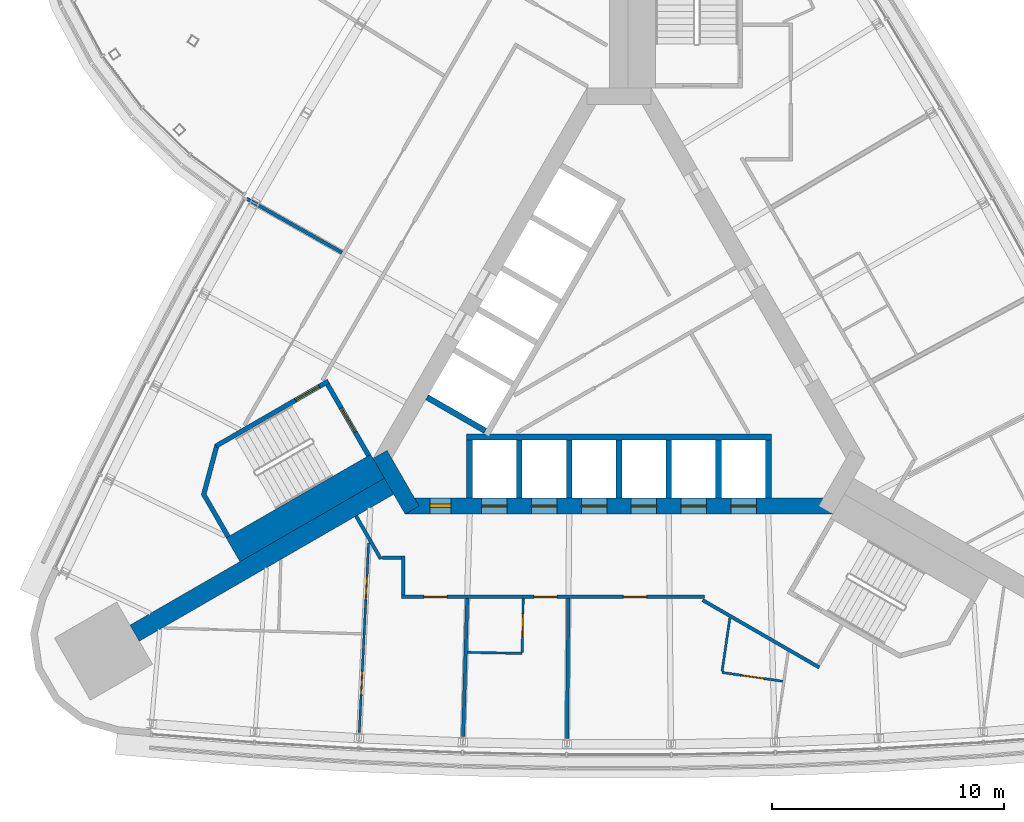
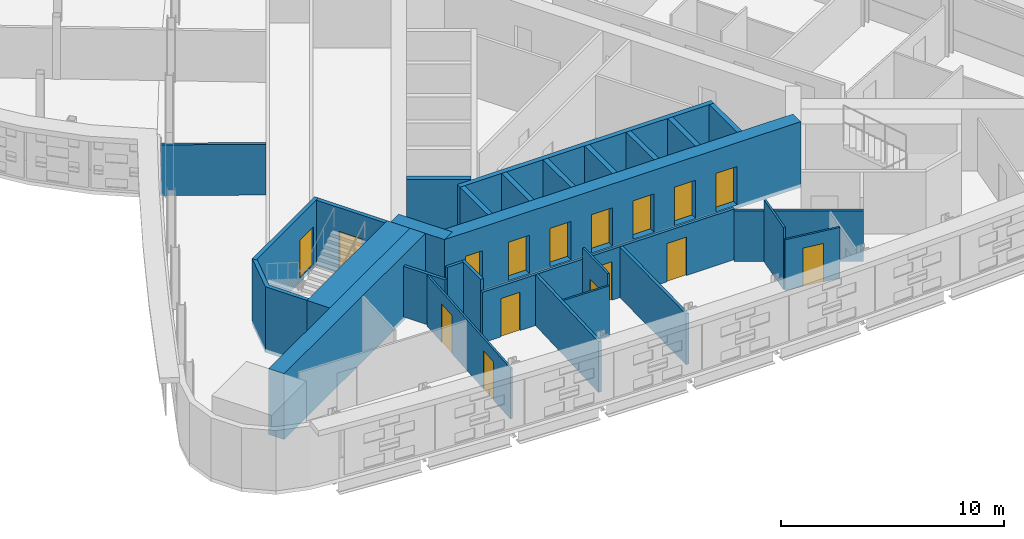
# One storey, part 10 of 16: 29 walls, 16 doors, 16 openings.
"""IFC4 building model written with IfcOpenShell, lengths in metres."""

import ifcopenshell
import ifcopenshell.guid

model = None  # the IFC model being written
_history = None  # IfcOwnerHistory: only IFC2X3 demands one
_inside = {}  # id of a spatial element -> (the spatial element, [elements in it])
_under = {}  # id of a project, library or spatial element -> (it, [spatial elements below it])
_declared = {}  # id of a project -> (the project, [libraries it declares])
_typed = {}  # id of a type object -> (the type object, [elements of that type])
_made_of = {}  # id of a material, layer set ... -> (it, [elements and type objects made of it])


def new_model(schema):
    """Start an empty IFC model of exactly this schema.

    Asked for "IFC4X3", IfcOpenShell would pick the latest addendum, in which some entities
    have other attributes; the version numbers below select the first issue.
    IFC2X3 requires an IfcOwnerHistory on every rooted entity: one is made here for all.
    """
    global model, _history
    if schema == "IFC4X3":
        model = ifcopenshell.file(schema_version=(4, 3, 0, 0))
    else:
        model = ifcopenshell.file(schema=schema)
    _inside.clear()
    _under.clear()
    _declared.clear()
    _typed.clear()
    _made_of.clear()
    _history = None
    if model.schema == "IFC2X3":
        org = make("IfcOrganization", Name="unknown")
        user = make(
            "IfcPersonAndOrganization",
            ThePerson=make("IfcPerson", FamilyName="unknown"),
            TheOrganization=org,
        )
        app = make(
            "IfcApplication",
            ApplicationDeveloper=org,
            Version="unknown",
            ApplicationFullName="unknown",
            ApplicationIdentifier="unknown",
        )
        _history = make(
            "IfcOwnerHistory",
            OwningUser=user,
            OwningApplication=app,
            ChangeAction="ADDED",
            CreationDate=0,
        )
    return model


def make(cls, **values):
    """One entity of the class cls with the attributes given. An attribute that is None is left unset."""
    return model.create_entity(
        cls, **{name: value for name, value in values.items() if value is not None}
    )


def rooted(cls, **values):
    """An entity with a GlobalId (a new one), such as an element, a storey or a relation."""
    return make(cls, GlobalId=ifcopenshell.guid.new(), OwnerHistory=_history, **values)


def si_unit(unit_type, name, prefix=None):
    """IfcSIUnit, for example si_unit("LENGTHUNIT", "METRE", prefix="MILLI")."""
    return make("IfcSIUnit", UnitType=unit_type, Prefix=prefix, Name=name)


def assignment(units):
    """IfcUnitAssignment: the units of a project."""
    return None if units is None else make("IfcUnitAssignment", Units=units)


def point(xyz):
    """IfcCartesianPoint."""
    return None if xyz is None else make("IfcCartesianPoint", Coordinates=xyz)


def direction(xyz):
    """IfcDirection."""
    return None if xyz is None else make("IfcDirection", DirectionRatios=xyz)


def frame(location, z_axis=None, x_axis=None):
    """IfcAxis2Placement3D, a coordinate frame: its origin and axes. An axis left out is left unset."""
    return make(
        "IfcAxis2Placement3D",
        Location=point(location),
        Axis=direction(z_axis),
        RefDirection=direction(x_axis),
    )


def frame_2d(location, x_axis=None):
    """IfcAxis2Placement2D, a coordinate frame in the plane: its origin and x axis."""
    return make(
        "IfcAxis2Placement2D", Location=point(location), RefDirection=direction(x_axis)
    )


def origin():
    """The frame at (0, 0, 0) with its axes left unset."""
    return frame((0.0, 0.0, 0.0))


def place(relative_to, where):
    """IfcLocalPlacement: puts the frame where relative to a parent placement (None: the world)."""
    return make(
        "IfcLocalPlacement", PlacementRelTo=relative_to, RelativePlacement=where
    )


def context(
    kind, dimensions, precision=None, world=None, true_north=None, identifier=None
):
    """IfcGeometricRepresentationContext, for example the 3D "Model" context."""
    return make(
        "IfcGeometricRepresentationContext",
        ContextIdentifier=identifier,
        ContextType=kind,
        CoordinateSpaceDimension=dimensions,
        Precision=precision,
        WorldCoordinateSystem=world,
        TrueNorth=true_north,
    )


def subcontext(parent, identifier, kind, view, scale=None):
    """IfcGeometricRepresentationSubContext, for example "Body" below "Model"."""
    return make(
        "IfcGeometricRepresentationSubContext",
        ContextIdentifier=identifier,
        ContextType=kind,
        ParentContext=parent,
        TargetScale=scale,
        TargetView=view,
    )


def project(units=None, contexts=None):
    """IfcProject with its units and contexts."""
    return rooted(
        "IfcProject",
        Name="project",
        RepresentationContexts=contexts,
        UnitsInContext=assignment(units),
    )


def spatial(cls, under=None, at=None, **own):
    """A site, building, storey or space (cls), placed at a placement, below another one or the project."""
    s = rooted(cls, ObjectPlacement=at, **own)
    if under is not None:
        _under.setdefault(under.id(), (under, []))[1].append(s)
    return s


def polyline(points):
    """IfcPolyline through the points."""
    return make("IfcPolyline", Points=[point(p) for p in points])


def profile(cls, at=None, kind="AREA", **sizes):
    """A parametric profile (cls). Its sizes go by their IFC names, for example OverallWidth=200.0."""
    return make(cls, ProfileType=kind, Position=at, **sizes)


def rectangle(**sizes):
    """IfcRectangleProfileDef."""
    return profile("IfcRectangleProfileDef", **sizes)


def outline(outer, holes=None, kind="AREA"):
    """IfcArbitraryClosedProfileDef: a profile drawn as a closed curve; with holes, ...WithVoids."""
    if holes is None:
        return make("IfcArbitraryClosedProfileDef", ProfileType=kind, OuterCurve=outer)
    return make(
        "IfcArbitraryProfileDefWithVoids",
        ProfileType=kind,
        OuterCurve=outer,
        InnerCurves=holes,
    )


def extrude(swept, where, along, depth):
    """IfcExtrudedAreaSolid: the profile swept, set in the frame where, extruded along a direction by depth."""
    return make(
        "IfcExtrudedAreaSolid",
        SweptArea=swept,
        Position=where,
        ExtrudedDirection=direction(along),
        Depth=depth,
    )


def shape(context_of_items, identifier, shape_type, items):
    """IfcShapeRepresentation: the items that make up one representation, for example the "Body"."""
    return make(
        "IfcShapeRepresentation",
        ContextOfItems=context_of_items,
        RepresentationIdentifier=identifier,
        RepresentationType=shape_type,
        Items=items,
    )


def material(Name=None, Category=None):
    """IfcMaterial."""
    return make("IfcMaterial", Name=Name, Category=Category)


def layer(
    of_material, thickness, ventilated=None, Name=None, Category=None, Priority=None
):
    """IfcMaterialLayer: one layer of a wall or slab, of a material (None: an air gap)."""
    return make(
        "IfcMaterialLayer",
        Material=of_material,
        LayerThickness=thickness,
        IsVentilated=ventilated,
        Name=Name,
        Category=Category,
        Priority=Priority,
    )


def layer_set(layers, Name=None):
    """IfcMaterialLayerSet."""
    return make("IfcMaterialLayerSet", MaterialLayers=layers, LayerSetName=Name)


def made_of(thing, what):
    """Note that an element or type object is made of a material, layer set ...; save() writes the relation."""
    if what is not None:
        _made_of.setdefault(what.id(), (what, []))[1].append(thing)
    return thing


def type_object(cls, material=None, **own):
    """A type object (cls), such as IfcWallType, which elements share."""
    return made_of(rooted(cls, **own), material)


def element(
    cls,
    number,
    at=None,
    inside=None,
    cuts=None,
    type_object=None,
    material=None,
    context=None,
    identifier="Body",
    shape_type=None,
    held_by="IfcProductDefinitionShape",
    body=None,
    shapes=None,
    **own,
):
    """One element of the class cls, such as IfcWall. Its Tag is "e" and its number.

    at: its placement. inside: the storey or other place that contains it. cuts: it is an
    opening in that element (IfcRelVoidsElement). A single representation is given by context,
    identifier, shape_type and body (its items); several are given by shapes. held_by: the class
    of the entity that holds the representations. save() writes the other relations.
    """
    e = rooted(cls, Tag="e%d" % number, ObjectPlacement=at, **own)
    if body is not None:
        shapes = [shape(context, identifier, shape_type, body)]
    if shapes is not None:
        e.Representation = make(held_by, Representations=shapes)
    if inside is not None:
        _inside.setdefault(inside.id(), (inside, []))[1].append(e)
    if cuts is not None:
        rooted(
            "IfcRelVoidsElement", RelatingBuildingElement=cuts, RelatedOpeningElement=e
        )
    if type_object is not None:
        _typed.setdefault(type_object.id(), (type_object, []))[1].append(e)
    return made_of(e, material)


def fill(opening, filler):
    """IfcRelFillsElement: the door or window that sits in an opening."""
    return rooted(
        "IfcRelFillsElement",
        RelatingOpeningElement=opening,
        RelatedBuildingElement=filler,
    )


def aggregate(whole, parts):
    """IfcRelAggregates: a whole, such as a stair, and the parts it consists of."""
    return rooted("IfcRelAggregates", RelatingObject=whole, RelatedObjects=parts)


def save(model, path):
    """Write the relations noted so far, then the file.

    IfcRelAggregates (storeys below a building ...), IfcRelContainedInSpatialStructure (elements
    in a storey), IfcRelDefinesByType, IfcRelAssociatesMaterial and IfcRelDeclares: one each for
    every whole, place, type object, material and project.
    """
    for whole, parts in _under.values():
        aggregate(whole, parts)
    for where, things in _inside.values():
        rooted(
            "IfcRelContainedInSpatialStructure",
            RelatedElements=things,
            RelatingStructure=where,
        )
    for kind, things in _typed.values():
        rooted("IfcRelDefinesByType", RelatedObjects=things, RelatingType=kind)
    for what, things in _made_of.values():
        rooted("IfcRelAssociatesMaterial", RelatedObjects=things, RelatingMaterial=what)
    for by, libraries in _declared.values():
        rooted("IfcRelDeclares", RelatingContext=by, RelatedDefinitions=libraries)
    model.write(path)


model = new_model("IFC4")

# Units and contexts
model_context = context("Model", 3, precision=1e-05, world=origin(), true_north=direction((0.0, 1.0)))
body_context = subcontext(model_context, "Body", "Model", "MODEL_VIEW")
ifc_project = project(units=[si_unit("LENGTHUNIT", "METRE"), si_unit("AREAUNIT", "SQUARE_METRE"), si_unit("VOLUMEUNIT", "CUBIC_METRE"), si_unit("PLANEANGLEUNIT", "RADIAN"), si_unit("MASSUNIT", "GRAM", prefix="KILO")], contexts=[model_context])

# Site, building, storey
site_placement = place(None, origin())
site = spatial("IfcSite", under=ifc_project, at=site_placement, CompositionType="ELEMENT")
building_placement = place(site_placement, origin())
building = spatial("IfcBuilding", under=site, at=building_placement, Name="Noor Cloister Tower", CompositionType="ELEMENT")
storey_placement = place(building_placement, frame((0.0, 0.0, 91.5)))
storey = spatial("IfcBuildingStorey", under=building, at=storey_placement, Name="L23", CompositionType="ELEMENT", Elevation=91.5)

# Wall
ifc_material_1 = material(Name="Concrete C80/95", Category="concrete")
ifc_layer_1 = layer(ifc_material_1, 0.800048828125)
ifc_layer_set_1 = layer_set([ifc_layer_1], Name="Buttress wall 800 C80/95")
wall_type_1 = type_object("IfcWallType", Name="Buttress wall 800 C80/95", PredefinedType="SHEAR", material=ifc_layer_set_1)
wall_1_placement = place(storey_placement, frame((-9.921630859375, -5.728271484375, -0.199951171875), z_axis=(0.0, 0.0, 1.0), x_axis=(-0.866029086277, -0.499993621681, 0.0)))
element("IfcWall", 1, at=wall_1_placement, inside=storey, type_object=wall_type_1, Name="Buttress wall SW L23", PredefinedType="SHEAR", context=body_context, shape_type="SweptSolid", body=[
    extrude(rectangle(XDim=12.677490234375, YDim=0.800048828125, at=frame_2d((6.3388671875, 0.0))), origin(), (0.0, 0.0, 1.0), 3.599853515625),
])

# Wall, openings, doors
ifc_material_2 = material(Name="Concrete C80/95", Category="concrete")
ifc_layer_2 = layer(ifc_material_2, 0.699951171875)
ifc_layer_set_2 = layer_set([ifc_layer_2], Name="Core wall 700 C80/95")
wall_type_2 = type_object("IfcWallType", Name="Core wall 700 C80/95", PredefinedType="SHEAR", material=ifc_layer_set_2)
wall_2_placement = place(storey_placement, frame((-9.228759765625, -6.578125, -0.199951171875), z_axis=(0.0, 0.0, 1.0), x_axis=(1.0, 0.0, 0.0)))
wall_2 = element("IfcWall", 2, at=wall_2_placement, inside=storey, type_object=wall_type_2, Name="Core wall L23 1", PredefinedType="SHEAR", context=body_context, shape_type="SweptSolid", body=[
    extrude(rectangle(XDim=18.45751953125, YDim=0.699951171875, at=frame_2d((9.228759765625, 0.0))), origin(), (0.0, 0.0, 1.0), 3.599853515625),
])
opening_1_placement = place(wall_2_placement, frame((3.3037109375, 0.0, 0.199951171875)))
opening_1 = element("IfcOpeningElement", 3, at=opening_1_placement, cuts=wall_2, Name="Opening L23-LR1", PredefinedType="OPENING", context=body_context, shape_type="SweptSolid", body=[
    extrude(rectangle(XDim=1.10009765625, YDim=2.10009765625, at=frame_2d((0.550048828125, 1.050048828125))), frame((0.0, 0.35986328125, 0.0), z_axis=(0.0, -1.0, 0.0), x_axis=(1.0, 0.0, 0.0)), (0.0, 0.0, 1.0), 0.719970703125),
])
opening_2_placement = place(wall_2_placement, frame((5.45361328125, 0.0, 0.199951171875)))
opening_2 = element("IfcOpeningElement", 4, at=opening_2_placement, cuts=wall_2, Name="Opening L23-LR2", PredefinedType="OPENING", context=body_context, shape_type="SweptSolid", body=[
    extrude(rectangle(XDim=1.10009765625, YDim=2.10009765625, at=frame_2d((0.550048828125, 1.050048828125))), frame((0.0, 0.35986328125, 0.0), z_axis=(0.0, -1.0, 0.0), x_axis=(1.0, 0.0, 0.0)), (0.0, 0.0, 1.0), 0.719970703125),
])
opening_3_placement = place(wall_2_placement, frame((7.603759765625, 0.0, 0.199951171875)))
opening_3 = element("IfcOpeningElement", 5, at=opening_3_placement, cuts=wall_2, Name="Opening L23-LR3", PredefinedType="OPENING", context=body_context, shape_type="SweptSolid", body=[
    extrude(rectangle(XDim=1.10009765625, YDim=2.10009765625, at=frame_2d((0.550048828125, 1.050048828125))), frame((0.0, 0.35986328125, 0.0), z_axis=(0.0, -1.0, 0.0), x_axis=(1.0, 0.0, 0.0)), (0.0, 0.0, 1.0), 0.719970703125),
])
opening_4_placement = place(wall_2_placement, frame((9.753662109375, 0.0, 0.199951171875)))
opening_4 = element("IfcOpeningElement", 6, at=opening_4_placement, cuts=wall_2, Name="Opening L23-LR4", PredefinedType="OPENING", context=body_context, shape_type="SweptSolid", body=[
    extrude(rectangle(XDim=1.10009765625, YDim=2.10009765625, at=frame_2d((0.550048828125, 1.050048828125))), frame((0.0, 0.35986328125, 0.0), z_axis=(0.0, -1.0, 0.0), x_axis=(1.0, 0.0, 0.0)), (0.0, 0.0, 1.0), 0.719970703125),
])
opening_5_placement = place(wall_2_placement, frame((11.90380859375, 0.0, 0.199951171875)))
opening_5 = element("IfcOpeningElement", 7, at=opening_5_placement, cuts=wall_2, Name="Opening L23-LR5", PredefinedType="OPENING", context=body_context, shape_type="SweptSolid", body=[
    extrude(rectangle(XDim=1.10009765625, YDim=2.10009765625, at=frame_2d((0.550048828125, 1.050048828125))), frame((0.0, 0.35986328125, 0.0), z_axis=(0.0, -1.0, 0.0), x_axis=(1.0, 0.0, 0.0)), (0.0, 0.0, 1.0), 0.719970703125),
])
opening_6_placement = place(wall_2_placement, frame((14.0537109375, 0.0, 0.199951171875)))
opening_6 = element("IfcOpeningElement", 8, at=opening_6_placement, cuts=wall_2, Name="Opening L23-LR6", PredefinedType="OPENING", context=body_context, shape_type="SweptSolid", body=[
    extrude(rectangle(XDim=1.10009765625, YDim=2.10009765625, at=frame_2d((0.550048828125, 1.050048828125))), frame((0.0, 0.35986328125, 0.0), z_axis=(0.0, -1.0, 0.0), x_axis=(1.0, 0.0, 0.0)), (0.0, 0.0, 1.0), 0.719970703125),
])
opening_7_placement = place(wall_2_placement, frame((1.078857421875, 0.0, 0.199951171875)))
opening_7 = element("IfcOpeningElement", 9, at=opening_7_placement, cuts=wall_2, Name="Opening L23-905", PredefinedType="OPENING", context=body_context, shape_type="SweptSolid", body=[
    extrude(rectangle(XDim=0.89990234375, YDim=2.10009765625, at=frame_2d((0.449951171875, 1.050048828125))), frame((0.0, 0.35986328125, 0.0), z_axis=(0.0, -1.0, 0.0), x_axis=(1.0, 0.0, 0.0)), (0.0, 0.0, 1.0), 0.719970703125),
])
ifc_material_3 = material(Name="Steel", Category="steel")
door_type_1 = type_object("IfcDoorType", Name="Core door 900 x 2100 FD120", OperationType="SINGLE_SWING_LEFT", PredefinedType="DOOR", material=ifc_material_3)
door_1_placement = place(opening_7_placement, origin())
door_1 = element("IfcDoor", 10, at=door_1_placement, inside=storey, type_object=door_type_1, Name="Core door 5 L23", OperationType="SINGLE_SWING_LEFT", OverallHeight=2.10009765625, OverallWidth=0.89990234375, PredefinedType="DOOR", context=body_context, shape_type="SweptSolid", body=[
    extrude(rectangle(XDim=0.89990234375, YDim=2.10009765625, at=frame_2d((0.449951171875, 1.050048828125))), frame((0.0, 0.074951171875, 0.0), z_axis=(0.0, -1.0, 0.0), x_axis=(1.0, 0.0, 0.0)), (0.0, 0.0, 1.0), 0.14990234375),
])
fill(opening_7, door_1)
ifc_material_4 = material(Name="Stainless steel", Category="steel")
door_type_2 = type_object("IfcDoorType", Name="Lift landing door 1100 x 2100", OperationType="DOUBLE_DOOR_SLIDING", PredefinedType="DOOR", material=ifc_material_4)
door_2_placement = place(opening_1_placement, origin())
door_2 = element("IfcDoor", 11, at=door_2_placement, inside=storey, type_object=door_type_2, Name="Landing door LR1 L23", OperationType="DOUBLE_DOOR_SLIDING", OverallHeight=2.10009765625, OverallWidth=1.10009765625, PredefinedType="DOOR", context=body_context, shape_type="SweptSolid", body=[
    extrude(rectangle(XDim=1.10009765625, YDim=2.10009765625, at=frame_2d((0.550048828125, 1.050048828125))), frame((0.0, 0.02490234375, 0.0), z_axis=(0.0, -1.0, 0.0), x_axis=(1.0, 0.0, 0.0)), (0.0, 0.0, 1.0), 0.050048828125),
])
fill(opening_1, door_2)
door_3_placement = place(opening_2_placement, origin())
door_3 = element("IfcDoor", 12, at=door_3_placement, inside=storey, type_object=door_type_2, Name="Landing door LR2 L23", OperationType="DOUBLE_DOOR_SLIDING", OverallHeight=2.10009765625, OverallWidth=1.10009765625, PredefinedType="DOOR", context=body_context, shape_type="SweptSolid", body=[
    extrude(rectangle(XDim=1.10009765625, YDim=2.10009765625, at=frame_2d((0.550048828125, 1.050048828125))), frame((0.0, 0.02490234375, 0.0), z_axis=(0.0, -1.0, 0.0), x_axis=(1.0, 0.0, 0.0)), (0.0, 0.0, 1.0), 0.050048828125),
])
fill(opening_2, door_3)
door_4_placement = place(opening_3_placement, origin())
door_4 = element("IfcDoor", 13, at=door_4_placement, inside=storey, type_object=door_type_2, Name="Landing door LR3 L23", OperationType="DOUBLE_DOOR_SLIDING", OverallHeight=2.10009765625, OverallWidth=1.10009765625, PredefinedType="DOOR", context=body_context, shape_type="SweptSolid", body=[
    extrude(rectangle(XDim=1.10009765625, YDim=2.10009765625, at=frame_2d((0.550048828125, 1.050048828125))), frame((0.0, 0.02490234375, 0.0), z_axis=(0.0, -1.0, 0.0), x_axis=(1.0, 0.0, 0.0)), (0.0, 0.0, 1.0), 0.050048828125),
])
fill(opening_3, door_4)
door_5_placement = place(opening_4_placement, origin())
door_5 = element("IfcDoor", 14, at=door_5_placement, inside=storey, type_object=door_type_2, Name="Landing door LR4 L23", OperationType="DOUBLE_DOOR_SLIDING", OverallHeight=2.10009765625, OverallWidth=1.10009765625, PredefinedType="DOOR", context=body_context, shape_type="SweptSolid", body=[
    extrude(rectangle(XDim=1.10009765625, YDim=2.10009765625, at=frame_2d((0.550048828125, 1.050048828125))), frame((0.0, 0.02490234375, 0.0), z_axis=(0.0, -1.0, 0.0), x_axis=(1.0, 0.0, 0.0)), (0.0, 0.0, 1.0), 0.050048828125),
])
fill(opening_4, door_5)
door_6_placement = place(opening_5_placement, origin())
door_6 = element("IfcDoor", 15, at=door_6_placement, inside=storey, type_object=door_type_2, Name="Landing door LR5 L23", OperationType="DOUBLE_DOOR_SLIDING", OverallHeight=2.10009765625, OverallWidth=1.10009765625, PredefinedType="DOOR", context=body_context, shape_type="SweptSolid", body=[
    extrude(rectangle(XDim=1.10009765625, YDim=2.10009765625, at=frame_2d((0.550048828125, 1.050048828125))), frame((0.0, 0.02490234375, 0.0), z_axis=(0.0, -1.0, 0.0), x_axis=(1.0, 0.0, 0.0)), (0.0, 0.0, 1.0), 0.050048828125),
])
fill(opening_5, door_6)
door_7_placement = place(opening_6_placement, origin())
door_7 = element("IfcDoor", 16, at=door_7_placement, inside=storey, type_object=door_type_2, Name="Landing door LR6 L23", OperationType="DOUBLE_DOOR_SLIDING", OverallHeight=2.10009765625, OverallWidth=1.10009765625, PredefinedType="DOOR", context=body_context, shape_type="SweptSolid", body=[
    extrude(rectangle(XDim=1.10009765625, YDim=2.10009765625, at=frame_2d((0.550048828125, 1.050048828125))), frame((0.0, 0.02490234375, 0.0), z_axis=(0.0, -1.0, 0.0), x_axis=(1.0, 0.0, 0.0)), (0.0, 0.0, 1.0), 0.050048828125),
])
fill(opening_6, door_7)

# Wall
wall_3_placement = place(storey_placement, frame((-10.311279296875, -4.353271484375, -0.199951171875), z_axis=(0.0, 0.0, 1.0), x_axis=(0.500042739161, -0.866000726912, 0.0)))
element("IfcWall", 17, at=wall_3_placement, inside=storey, type_object=wall_type_2, Name="Core wall L23 6", PredefinedType="SHEAR", context=body_context, shape_type="SweptSolid", body=[
    extrude(rectangle(XDim=2.771240234375, YDim=0.699951171875, at=frame_2d((1.3857421875, 0.0))), origin(), (0.0, 0.0, 1.0), 3.599853515625),
])

# Wall, openings, doors
ifc_material_5 = material(Name="Gypsum board partition on steel studs, 150 mm", Category="steel")
ifc_layer_3 = layer(ifc_material_5, 0.14990234375)
ifc_layer_set_3 = layer_set([ifc_layer_3], Name="Flat wall 150")
wall_type_3 = type_object("IfcWallType", Name="Flat wall 150", PredefinedType="PARTITIONING", material=ifc_layer_set_3)
wall_4_placement = place(storey_placement, frame((3.68896484375, -10.503173828125, 0.0), z_axis=(0.0, 0.0, 1.0), x_axis=(-1.0, 0.0, 0.0)))
wall_4 = element("IfcWall", 18, at=wall_4_placement, inside=storey, type_object=wall_type_3, Name="Flat wall 150 L23 004", PredefinedType="PARTITIONING", context=body_context, shape_type="SweptSolid", body=[
    extrude(rectangle(XDim=13.067626953125, YDim=0.14990234375, at=frame_2d((6.53369140625, 0.0))), origin(), (0.0, 0.0, 1.0), 2.778076171875),
])
opening_8_placement = place(wall_4_placement, frame((11.1064453125, 0.0, 0.0)))
opening_8 = element("IfcOpeningElement", 19, at=opening_8_placement, cuts=wall_4, Name="Opening L23-008", PredefinedType="OPENING", context=body_context, shape_type="SweptSolid", body=[
    extrude(rectangle(XDim=1.0, YDim=2.10009765625, at=frame_2d((0.5, 1.050048828125))), frame((0.0, 0.0849609375, 0.0), z_axis=(0.0, -1.0, 0.0), x_axis=(1.0, 0.0, 0.0)), (0.0, 0.0, 1.0), 0.169921875),
])
opening_9_placement = place(wall_4_placement, frame((6.359130859375, 0.0, 0.0)))
opening_9 = element("IfcOpeningElement", 20, at=opening_9_placement, cuts=wall_4, Name="Opening L23-009", PredefinedType="OPENING", context=body_context, shape_type="SweptSolid", body=[
    extrude(rectangle(XDim=1.0, YDim=2.10009765625, at=frame_2d((0.5, 1.050048828125))), frame((0.0, 0.0849609375, 0.0), z_axis=(0.0, -1.0, 0.0), x_axis=(1.0, 0.0, 0.0)), (0.0, 0.0, 1.0), 0.169921875),
])
opening_10_placement = place(wall_4_placement, frame((2.500732421875, 0.0, 0.0)))
opening_10 = element("IfcOpeningElement", 21, at=opening_10_placement, cuts=wall_4, Name="Opening L23-010", PredefinedType="OPENING", context=body_context, shape_type="SweptSolid", body=[
    extrude(rectangle(XDim=1.0, YDim=2.10009765625, at=frame_2d((0.5, 1.050048828125))), frame((0.0, 0.0849609375, 0.0), z_axis=(0.0, -1.0, 0.0), x_axis=(1.0, 0.0, 0.0)), (0.0, 0.0, 1.0), 0.169921875),
])
ifc_material_6 = material(Name="Timber door leaf with steel frame", Category="steel")
door_type_3 = type_object("IfcDoorType", Name="Flat entrance door 1000 FD60S", OperationType="NOTDEFINED", PredefinedType="DOOR", material=ifc_material_6)
door_8_placement = place(opening_8_placement, origin())
door_8 = element("IfcDoor", 22, at=door_8_placement, inside=storey, type_object=door_type_3, Name="Flat entrance door 1000 L23-008", OperationType="SINGLE_SWING_RIGHT", OverallHeight=2.10009765625, OverallWidth=1.0, PredefinedType="DOOR", context=body_context, shape_type="SweptSolid", body=[
    extrude(rectangle(XDim=1.0, YDim=2.10009765625, at=frame_2d((0.5, 1.050048828125))), frame((0.0, 0.02490234375, 0.0), z_axis=(0.0, -1.0, 0.0), x_axis=(1.0, 0.0, 0.0)), (0.0, 0.0, 1.0), 0.050048828125),
])
fill(opening_8, door_8)
door_9_placement = place(opening_9_placement, origin())
door_9 = element("IfcDoor", 23, at=door_9_placement, inside=storey, type_object=door_type_3, Name="Flat entrance door 1000 L23-009", OperationType="SINGLE_SWING_RIGHT", OverallHeight=2.10009765625, OverallWidth=1.0, PredefinedType="DOOR", context=body_context, shape_type="SweptSolid", body=[
    extrude(rectangle(XDim=1.0, YDim=2.10009765625, at=frame_2d((0.5, 1.050048828125))), frame((0.0, 0.02490234375, 0.0), z_axis=(0.0, -1.0, 0.0), x_axis=(1.0, 0.0, 0.0)), (0.0, 0.0, 1.0), 0.050048828125),
])
fill(opening_9, door_9)
door_10_placement = place(opening_10_placement, origin())
door_10 = element("IfcDoor", 24, at=door_10_placement, inside=storey, type_object=door_type_3, Name="Flat entrance door 1000 L23-010", OperationType="SINGLE_SWING_LEFT", OverallHeight=2.10009765625, OverallWidth=1.0, PredefinedType="DOOR", context=body_context, shape_type="SweptSolid", body=[
    extrude(rectangle(XDim=1.0, YDim=2.10009765625, at=frame_2d((0.5, 1.050048828125))), frame((0.0, 0.02490234375, 0.0), z_axis=(0.0, -1.0, 0.0), x_axis=(1.0, 0.0, 0.0)), (0.0, 0.0, 1.0), 0.050048828125),
])
fill(opening_10, door_10)

# Walls
wall_5_placement = place(storey_placement, frame((3.61328125, -10.643310546875, 0.0), z_axis=(0.0, 0.0, 1.0), x_axis=(0.866042728627, -0.499969991291, 0.0)))
element("IfcWall", 25, at=wall_5_placement, inside=storey, type_object=wall_type_3, Name="Flat wall 150 L23 005", PredefinedType="PARTITIONING", context=body_context, shape_type="SweptSolid", body=[
    extrude(rectangle(XDim=5.805419921875, YDim=0.14990234375, at=frame_2d((2.90283203125, 0.0))), origin(), (0.0, 0.0, 1.0), 2.778076171875),
])
wall_6_placement = place(storey_placement, frame((-11.34521484375, -7.01220703125, 0.0), z_axis=(0.0, 0.0, 1.0), x_axis=(0.499998569178, -0.866026229868, 0.0)))
element("IfcWall", 26, at=wall_6_placement, inside=storey, type_object=wall_type_3, Name="Flat wall 150 L23 011", PredefinedType="PARTITIONING", context=body_context, shape_type="SweptSolid", body=[
    extrude(rectangle(XDim=2.14306640625, YDim=0.14990234375, at=frame_2d((1.071533203125, 0.0))), origin(), (0.0, 0.0, 1.0), 2.778076171875),
])
wall_7_placement = place(storey_placement, frame((-9.3037109375, -10.42822265625, 0.0), z_axis=(0.0, 0.0, 1.0), x_axis=(0.0, 1.0, 0.0)))
element("IfcWall", 27, at=wall_7_placement, inside=storey, type_object=wall_type_3, Name="Flat wall 150 L23 014", PredefinedType="PARTITIONING", context=body_context, shape_type="SweptSolid", body=[
    extrude(rectangle(XDim=1.699951171875, YDim=0.14990234375, at=frame_2d((0.85009765625, 0.0))), origin(), (0.0, 0.0, 1.0), 3.39990234375),
])
wall_8_placement = place(storey_placement, frame((-10.208740234375, -8.80322265625, 0.0), z_axis=(0.0, 0.0, 1.0), x_axis=(1.0, 0.0, 0.0)))
element("IfcWall", 28, at=wall_8_placement, inside=storey, type_object=wall_type_3, Name="Flat wall 150 L23 015", PredefinedType="PARTITIONING", context=body_context, shape_type="SweptSolid", body=[
    extrude(rectangle(XDim=0.830078125, YDim=0.14990234375, at=frame_2d((0.4150390625, 0.0))), origin(), (0.0, 0.0, 1.0), 3.39990234375),
])
wall_9_placement = place(storey_placement, frame((-2.2421875, -16.616455078125, 0.0), z_axis=(0.0, 0.0, 1.0), x_axis=(0.009866078621, 0.999951329062, 0.0)))
element("IfcWall", 29, at=wall_9_placement, inside=storey, type_object=wall_type_3, Name="Flat wall 150 L23 019", PredefinedType="PARTITIONING", context=body_context, shape_type="SweptSolid", body=[
    extrude(rectangle(XDim=6.037841796875, YDim=0.14990234375, at=frame_2d((3.01904296875, 0.0))), origin(), (0.0, 0.0, 1.0), 2.778076171875),
])
wall_10_placement = place(storey_placement, frame((-6.725341796875, -16.5283203125, 0.0), z_axis=(0.0, 0.0, 1.0), x_axis=(0.029499121441, 0.99956480622, 0.0)))
element("IfcWall", 30, at=wall_10_placement, inside=storey, type_object=wall_type_3, Name="Flat wall 150 L23 020", PredefinedType="PARTITIONING", context=body_context, shape_type="SweptSolid", body=[
    extrude(rectangle(XDim=5.95068359375, YDim=0.14990234375, at=frame_2d((2.975341796875, 0.0))), origin(), (0.0, 0.0, 1.0), 2.778076171875),
])
wall_11_placement = place(storey_placement, frame((-16.068603515625, 6.680908203125, 0.0), z_axis=(0.0, 0.0, 1.0), x_axis=(0.87091272742, -0.49143770838, 0.0)))
element("IfcWall", 31, at=wall_11_placement, inside=storey, type_object=wall_type_3, Name="Flat wall 150 L23 021", PredefinedType="PARTITIONING", context=body_context, shape_type="SweptSolid", body=[
    extrude(rectangle(XDim=4.7275390625, YDim=0.14990234375, at=frame_2d((2.36376953125, 0.0))), origin(), (0.0, 0.0, 1.0), 2.778076171875),
])

# Wall, openings, doors
ifc_material_7 = material(Name="Gypsum board partition on steel studs, 100 mm", Category="steel")
ifc_layer_4 = layer(ifc_material_7, 0.10009765625)
ifc_layer_set_4 = layer_set([ifc_layer_4], Name="Partition 100")
wall_type_4 = type_object("IfcWallType", Name="Partition 100", PredefinedType="PARTITIONING", material=ifc_layer_set_4)
wall_12_placement = place(storey_placement, frame((-11.2060546875, -16.351806640625, 0.0), z_axis=(0.0, 0.0, 1.0), x_axis=(0.049170759729, 0.998790386612, 0.0)))
wall_12 = element("IfcWall", 32, at=wall_12_placement, inside=storey, type_object=wall_type_4, Name="Partition 100 L23 025", PredefinedType="PARTITIONING", context=body_context, shape_type="SweptSolid", body=[
    extrude(rectangle(XDim=8.177734375, YDim=0.10009765625, at=frame_2d((4.0888671875, 0.0))), origin(), (0.0, 0.0, 1.0), 2.778076171875),
])
opening_11_placement = place(wall_12_placement, frame((5.741943359375, 0.0, 0.0)))
opening_11 = element("IfcOpeningElement", 33, at=opening_11_placement, cuts=wall_12, Name="Opening L23-017", PredefinedType="OPENING", context=body_context, shape_type="SweptSolid", body=[
    extrude(rectangle(XDim=1.0, YDim=2.10009765625, at=frame_2d((0.5, 1.050048828125))), frame((0.0, 0.06005859375, 0.0), z_axis=(0.0, -1.0, 0.0), x_axis=(1.0, 0.0, 0.0)), (0.0, 0.0, 1.0), 0.1201171875),
])
opening_12_placement = place(wall_12_placement, frame((1.634521484375, 0.0, 0.0)))
opening_12 = element("IfcOpeningElement", 34, at=opening_12_placement, cuts=wall_12, Name="Opening L23-018", PredefinedType="OPENING", context=body_context, shape_type="SweptSolid", body=[
    extrude(rectangle(XDim=1.0, YDim=2.10009765625, at=frame_2d((0.5, 1.050048828125))), frame((0.0, 0.06005859375, 0.0), z_axis=(0.0, -1.0, 0.0), x_axis=(1.0, 0.0, 0.0)), (0.0, 0.0, 1.0), 0.1201171875),
])
ifc_material_8 = material(Name="Timber door leaf with steel frame", Category="steel")
door_type_4 = type_object("IfcDoorType", Name="Interior door 1000", OperationType="NOTDEFINED", PredefinedType="DOOR", material=ifc_material_8)
door_11_placement = place(opening_11_placement, origin())
door_11 = element("IfcDoor", 35, at=door_11_placement, inside=storey, type_object=door_type_4, Name="Interior door 1000 L23-017", OperationType="SINGLE_SWING_RIGHT", OverallHeight=2.10009765625, OverallWidth=1.0, PredefinedType="DOOR", context=body_context, shape_type="SweptSolid", body=[
    extrude(rectangle(XDim=1.0, YDim=2.10009765625, at=frame_2d((0.5, 1.050048828125))), frame((0.0, 0.02490234375, 0.0), z_axis=(0.0, -1.0, 0.0), x_axis=(1.0, 0.0, 0.0)), (0.0, 0.0, 1.0), 0.050048828125),
])
fill(opening_11, door_11)
door_12_placement = place(opening_12_placement, origin())
door_12 = element("IfcDoor", 36, at=door_12_placement, inside=storey, type_object=door_type_4, Name="Interior door 1000 L23-018", OperationType="SINGLE_SWING_LEFT", OverallHeight=2.10009765625, OverallWidth=1.0, PredefinedType="DOOR", context=body_context, shape_type="SweptSolid", body=[
    extrude(rectangle(XDim=1.0, YDim=2.10009765625, at=frame_2d((0.5, 1.050048828125))), frame((0.0, 0.02490234375, 0.0), z_axis=(0.0, -1.0, 0.0), x_axis=(1.0, 0.0, 0.0)), (0.0, 0.0, 1.0), 0.050048828125),
])
fill(opening_12, door_12)

# Wall, opening, door
wall_13_placement = place(storey_placement, frame((4.44287109375, -13.76220703125, 0.0), z_axis=(0.0, 0.0, 1.0), x_axis=(0.989603850573, -0.143820092239, 0.0)))
wall_13 = element("IfcWall", 37, at=wall_13_placement, inside=storey, type_object=wall_type_4, Name="Partition 100 L23 032", PredefinedType="PARTITIONING", context=body_context, shape_type="SweptSolid", body=[
    extrude(rectangle(XDim=2.64990234375, YDim=0.10009765625, at=frame_2d((1.324951171875, 0.0))), origin(), (0.0, 0.0, 1.0), 2.778076171875),
])
opening_13_placement = place(wall_13_placement, frame((0.85009765625, 0.0, 0.0)))
opening_13 = element("IfcOpeningElement", 38, at=opening_13_placement, cuts=wall_13, Name="Opening L23-022", PredefinedType="OPENING", context=body_context, shape_type="SweptSolid", body=[
    extrude(rectangle(XDim=1.0, YDim=2.10009765625, at=frame_2d((0.5, 1.050048828125))), frame((0.0, 0.06005859375, 0.0), z_axis=(0.0, -1.0, 0.0), x_axis=(1.0, 0.0, 0.0)), (0.0, 0.0, 1.0), 0.1201171875),
])
door_13_placement = place(opening_13_placement, origin())
door_13 = element("IfcDoor", 39, at=door_13_placement, inside=storey, type_object=door_type_4, Name="Interior door 1000 L23-022", OperationType="SINGLE_SWING_RIGHT", OverallHeight=2.10009765625, OverallWidth=1.0, PredefinedType="DOOR", context=body_context, shape_type="SweptSolid", body=[
    extrude(rectangle(XDim=1.0, YDim=2.10009765625, at=frame_2d((0.5, 1.050048828125))), frame((0.0, 0.02490234375, 0.0), z_axis=(0.0, -1.0, 0.0), x_axis=(1.0, 0.0, 0.0)), (0.0, 0.0, 1.0), 0.050048828125),
])
fill(opening_13, door_13)

# Walls
wall_14_placement = place(storey_placement, frame((4.782470703125, -11.42626953125, 0.0), z_axis=(0.0, 0.0, 1.0), x_axis=(-0.14392103122, -0.989589175756, 0.0)))
element("IfcWall", 40, at=wall_14_placement, inside=storey, type_object=wall_type_4, Name="Partition 100 L23 034", PredefinedType="PARTITIONING", context=body_context, shape_type="SweptSolid", body=[
    extrude(rectangle(XDim=2.310546875, YDim=0.10009765625, at=frame_2d((1.1552734375, 0.0))), origin(), (0.0, 0.0, 1.0), 3.39990234375),
])
wall_15_placement = place(storey_placement, frame((-6.54248046875, -12.894287109375, 0.0), z_axis=(0.0, 0.0, 1.0), x_axis=(0.999805392652, -0.019727565082, 0.0)))
element("IfcWall", 41, at=wall_15_placement, inside=storey, type_object=wall_type_4, Name="Partition 100 L23 035", PredefinedType="PARTITIONING", context=body_context, shape_type="SweptSolid", body=[
    extrude(rectangle(XDim=2.36376953125, YDim=0.10009765625, at=frame_2d((1.181884765625, 0.0))), origin(), (0.0, 0.0, 1.0), 2.778076171875),
])

# Wall, opening, door
wall_16_placement = place(storey_placement, frame((-4.17822265625, -12.890869140625, 0.0), z_axis=(0.0, 0.0, 1.0), x_axis=(0.019639257197, 0.999807131189, 0.0)))
wall_16 = element("IfcWall", 42, at=wall_16_placement, inside=storey, type_object=wall_type_4, Name="Partition 100 L23 036", PredefinedType="PARTITIONING", context=body_context, shape_type="SweptSolid", body=[
    extrude(rectangle(XDim=2.312255859375, YDim=0.10009765625, at=frame_2d((1.15625, 0.0))), origin(), (0.0, 0.0, 1.0), 3.39990234375),
])
opening_14_placement = place(wall_16_placement, frame((0.64990234375, 0.0, 0.0)))
opening_14 = element("IfcOpeningElement", 43, at=opening_14_placement, cuts=wall_16, Name="Opening L23-024", PredefinedType="OPENING", context=body_context, shape_type="SweptSolid", body=[
    extrude(rectangle(XDim=1.0, YDim=2.10009765625, at=frame_2d((0.5, 1.050048828125))), frame((0.0, 0.06005859375, 0.0), z_axis=(0.0, -1.0, 0.0), x_axis=(1.0, 0.0, 0.0)), (0.0, 0.0, 1.0), 0.1201171875),
])
door_14_placement = place(opening_14_placement, origin())
door_14 = element("IfcDoor", 44, at=door_14_placement, inside=storey, type_object=door_type_4, Name="Interior door 1000 L23-024", OperationType="SINGLE_SWING_LEFT", OverallHeight=2.10009765625, OverallWidth=1.0, PredefinedType="DOOR", context=body_context, shape_type="SweptSolid", body=[
    extrude(rectangle(XDim=1.0, YDim=2.10009765625, at=frame_2d((0.5, 1.050048828125))), frame((0.0, 0.02490234375, 0.0), z_axis=(0.0, -1.0, 0.0), x_axis=(1.0, 0.0, 0.0)), (0.0, 0.0, 1.0), 0.050048828125),
])
fill(opening_14, door_14)

# Walls
ifc_material_9 = material(Name="Concrete C80/95", Category="concrete")
ifc_layer_5 = layer(ifc_material_9, 0.25)
ifc_layer_set_5 = layer_set([ifc_layer_5], Name="Shaft wall 250 C80/95")
wall_type_5 = type_object("IfcWallType", Name="Shaft wall 250 C80/95", PredefinedType="PARTITIONING", material=ifc_layer_set_5)
for number, where, z_axis, x_axis, name in (
    (45, (-6.449951171875, -6.228271484375, -0.199951171875), (0.0, 0.0, 1.0), (0.0, 1.0, 0.0), "Lift shaft wall L23 S 1"),
    (46, (-4.300048828125, -6.228271484375, -0.199951171875), (0.0, 0.0, 1.0), (0.0, 1.0, 0.0), "Lift shaft wall L23 S 2"),
    (47, (-2.14990234375, -6.228271484375, -0.199951171875), (0.0, 0.0, 1.0), (0.0, 1.0, 0.0), "Lift shaft wall L23 S 3"),
    (48, (0.0, -6.228271484375, -0.199951171875), (0.0, 0.0, 1.0), (0.0, 1.0, 0.0), "Lift shaft wall L23 S 4"),
    (49, (2.14990234375, -6.228271484375, -0.199951171875), (0.0, 0.0, 1.0), (0.0, 1.0, 0.0), "Lift shaft wall L23 S 5"),
    (50, (4.300048828125, -6.228271484375, -0.199951171875), (0.0, 0.0, 1.0), (0.0, 1.0, 0.0), "Lift shaft wall L23 S 6"),
    (51, (6.449951171875, -6.228271484375, -0.199951171875), (0.0, 0.0, 1.0), (0.0, 1.0, 0.0), "Lift shaft wall L23 S 7"),
):
    element("IfcWall", number, at=place(storey_placement, frame(where, z_axis=z_axis, x_axis=x_axis)), inside=storey, type_object=wall_type_5, Name=name, PredefinedType="PARTITIONING", context=body_context, shape_type="SweptSolid", body=[
        extrude(rectangle(XDim=2.5, YDim=0.25, at=frame_2d((1.25, 0.0))), origin(), (0.0, 0.0, 1.0), 3.599853515625),
    ])
wall_17_placement = place(storey_placement, frame((-6.574951171875, -3.603271484375, 0.0), z_axis=(0.0, 0.0, 1.0), x_axis=(1.0, 0.0, 0.0)))
element("IfcWall", 52, at=wall_17_placement, inside=storey, type_object=wall_type_5, Name="Lift shaft back wall L23 S", PredefinedType="PARTITIONING", context=body_context, shape_type="SweptSolid", body=[
    extrude(rectangle(XDim=13.14990234375, YDim=0.25, at=frame_2d((6.574951171875, 0.0))), origin(), (0.0, 0.0, 1.0), 3.39990234375),
])
wall_18_placement = place(storey_placement, frame((-8.28125, -1.88720703125, -0.199951171875), z_axis=(0.0, 0.0, 1.0), x_axis=(0.866032775405, -0.499987231761, 0.0)))
element("IfcWall", 53, at=wall_18_placement, inside=storey, type_object=wall_type_5, Name="Lift shaft wall L23 NW 6", PredefinedType="PARTITIONING", context=body_context, shape_type="SweptSolid", body=[
    extrude(rectangle(XDim=2.89990234375, YDim=0.25, at=frame_2d((1.449951171875, 0.0))), origin(), (0.0, 0.0, 1.0), 3.599853515625),
])
ifc_material_10 = material(Name="Concrete C80/95", Category="concrete")
ifc_layer_6 = layer(ifc_material_10, 1.18603515625)
ifc_layer_set_6 = layer_set([ifc_layer_6], Name="Stair enclosure wall 1186 C80/95")
wall_type_6 = type_object("IfcWallType", Name="Stair enclosure wall 1186 C80/95", PredefinedType="SHEAR", material=ifc_layer_set_6)
wall_19_placement = place(storey_placement, frame((-10.41796875, -4.868408203125, -0.199951171875), z_axis=(0.0, 0.0, 1.0), x_axis=(-0.866018442252, -0.500012057535, 0.0)))
element("IfcWall", 54, at=wall_19_placement, inside=storey, type_object=wall_type_6, Name="Stair enclosure wall ST2 L23 riser side", PredefinedType="SHEAR", context=body_context, shape_type="SweptSolid", body=[
    extrude(rectangle(XDim=7.199951171875, YDim=1.185546875, at=frame_2d((3.60009765625, 0.0))), origin(), (0.0, 0.0, 1.0), 3.599853515625),
])

# Wall, opening, door
ifc_material_11 = material(Name="Concrete C80/95", Category="concrete")
ifc_layer_7 = layer(ifc_material_11, 0.199951171875)
ifc_layer_set_7 = layer_set([ifc_layer_7], Name="Stair enclosure wall 200 C80/95")
wall_type_7 = type_object("IfcWallType", Name="Stair enclosure wall 200 C80/95", PredefinedType="SHEAR", material=ifc_layer_set_7)
wall_20_placement = place(storey_placement, frame((-12.575927734375, -1.33056640625, -0.199951171875), z_axis=(0.0, 0.0, 1.0), x_axis=(0.499970499736, -0.8660424351, 0.0)))
wall_20 = element("IfcWall", 55, at=wall_20_placement, inside=storey, type_object=wall_type_7, Name="Stair enclosure wall ST2 L23 near end", PredefinedType="SHEAR", context=body_context, shape_type="SweptSolid", body=[
    extrude(rectangle(XDim=3.550048828125, YDim=0.199951171875, at=frame_2d((1.77490234375, 0.0))), origin(), (0.0, 0.0, 1.0), 3.599853515625),
])
opening_15_placement = place(wall_20_placement, frame((1.175048828125, 0.0, 0.199951171875)))
opening_15 = element("IfcOpeningElement", 56, at=opening_15_placement, cuts=wall_20, Name="Opening L23-ST2L", PredefinedType="OPENING", context=body_context, shape_type="SweptSolid", body=[
    extrude(rectangle(XDim=1.199951171875, YDim=2.10009765625, at=frame_2d((0.60009765625, 1.050048828125))), frame((0.0, 0.10986328125, 0.0), z_axis=(0.0, -1.0, 0.0), x_axis=(1.0, 0.0, 0.0)), (0.0, 0.0, 1.0), 0.219970703125),
])
ifc_material_12 = material(Name="Steel", Category="steel")
door_type_5 = type_object("IfcDoorType", Name="Stair door 1200 x 2100 FD120", OperationType="SINGLE_SWING_LEFT", PredefinedType="DOOR", material=ifc_material_12)
door_15_placement = place(opening_15_placement, origin())
door_15 = element("IfcDoor", 57, at=door_15_placement, inside=storey, type_object=door_type_5, Name="Stair door ST2 L23", OperationType="SINGLE_SWING_RIGHT", OverallHeight=2.10009765625, OverallWidth=1.199951171875, PredefinedType="DOOR", context=body_context, shape_type="SweptSolid", body=[
    extrude(rectangle(XDim=1.199951171875, YDim=2.10009765625, at=frame_2d((0.60009765625, 1.050048828125))), frame((0.0, 0.02490234375, 0.0), z_axis=(0.0, -1.0, 0.0), x_axis=(1.0, 0.0, 0.0)), (0.0, 0.0, 1.0), 0.050048828125),
])
fill(opening_15, door_15)

wall_21_placement = place(storey_placement, frame((-12.539306640625, -1.194091796875, -0.199951171875), z_axis=(0.0, 0.0, 1.0), x_axis=(-0.866045472092, -0.499965239061, 0.0)))
wall_21 = element("IfcWall", 58, at=wall_21_placement, inside=storey, type_object=wall_type_7, Name="Stair enclosure wall ST2 L23 outer side", PredefinedType="SHEAR", context=body_context, shape_type="SweptSolid", body=[
    extrude(rectangle(XDim=5.60009765625, YDim=0.199951171875, at=frame_2d((2.800048828125, 0.0))), origin(), (0.0, 0.0, 1.0), 3.599853515625),
])
opening_16_placement = place(wall_21_placement, frame((0.449951171875, 0.0, 0.199951171875)))
opening_16 = element("IfcOpeningElement", 59, at=opening_16_placement, cuts=wall_21, Name="Opening L23-ST2C", PredefinedType="OPENING", context=body_context, shape_type="SweptSolid", body=[
    extrude(rectangle(XDim=1.199951171875, YDim=2.10009765625, at=frame_2d((0.60009765625, 1.050048828125))), frame((0.0, 0.10986328125, 0.0), z_axis=(0.0, -1.0, 0.0), x_axis=(1.0, 0.0, 0.0)), (0.0, 0.0, 1.0), 0.219970703125),
])
door_16_placement = place(opening_16_placement, origin())
door_16 = element("IfcDoor", 60, at=door_16_placement, inside=storey, type_object=door_type_5, Name="Stair door ST2 L23", OperationType="SINGLE_SWING_LEFT", OverallHeight=2.10009765625, OverallWidth=1.199951171875, PredefinedType="DOOR", context=body_context, shape_type="SweptSolid", body=[
    extrude(rectangle(XDim=1.199951171875, YDim=2.10009765625, at=frame_2d((0.60009765625, 1.050048828125))), frame((0.0, 0.02490234375, 0.0), z_axis=(0.0, -1.0, 0.0), x_axis=(1.0, 0.0, 0.0)), (0.0, 0.0, 1.0), 0.050048828125),
])
fill(opening_16, door_16)

# Wall
ifc_material_13 = material(Name="Concrete C80/95", Category="concrete")
wall_type_8 = type_object("IfcWallType", Name="Stair far end wall C80/95", PredefinedType="SHEAR", material=ifc_material_13)
wall_22_placement = place(storey_placement, frame((0.0, 0.0, -0.199951171875)))
element("IfcWall", 61, at=wall_22_placement, inside=storey, type_object=wall_type_8, Name="Stair enclosure wall ST2 L23 far end", PredefinedType="SHEAR", context=body_context, shape_type="SweptSolid", body=[
    extrude(outline(polyline([(-17.439208984375, -3.907470703125), (-18.024658203125, -6.093017578125), (-16.94970703125, -7.955078125), (-16.776611328125, -7.85498046875), (-17.81005859375, -6.064697265625), (-17.267333984375, -4.039306640625), (-17.339111328125, -4.08056640625), (-17.339111328125, -4.08056640625), (-17.339111328125, -4.08056640625), (-17.339111328125, -4.08056640625), (-17.339111328125, -4.08056640625), (-17.339111328125, -4.08056640625), (-17.339111328125, -4.08056640625), (-17.339111328125, -4.08056640625), (-17.339111328125, -4.08056640625), (-17.339111328125, -4.08056640625), (-17.339111328125, -4.08056640625), (-17.339111328125, -4.08056640625), (-17.339111328125, -4.08056640625), (-17.339111328125, -4.08056640625), (-17.339111328125, -4.08056640625), (-17.339111328125, -4.08056640625), (-17.339111328125, -4.08056640625), (-17.439208984375, -3.907470703125)])), origin(), (0.0, 0.0, 1.0), 3.599853515625),
])

save(model, "model.ifc")
